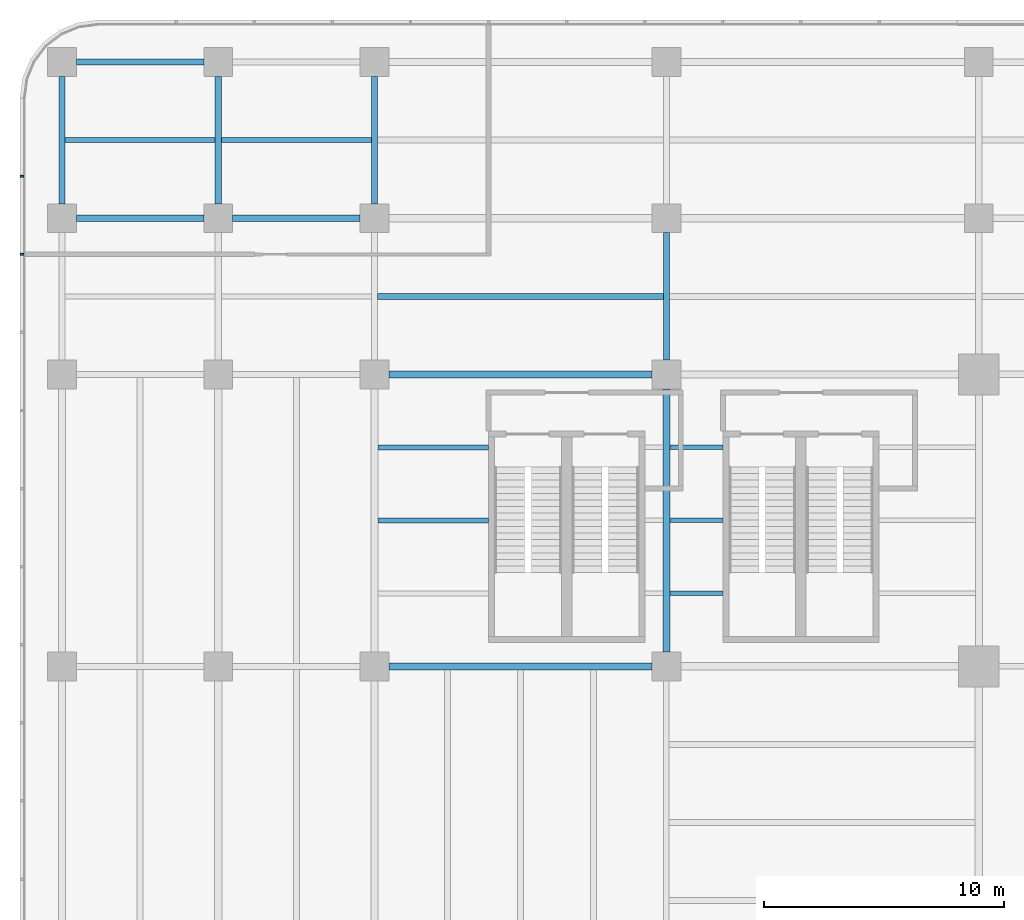
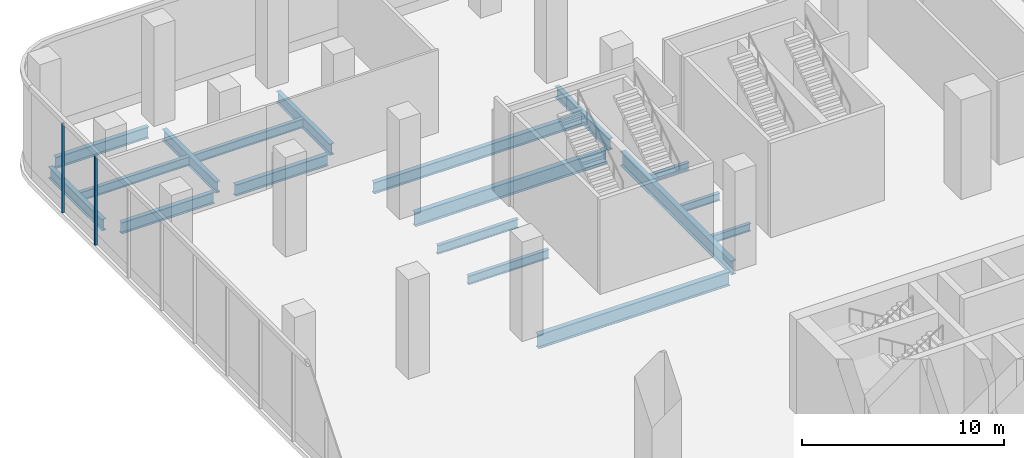
# One storey, part 20 of 41: 18 beams, 2 members, 1 element without a shape of its own.
"""IFC4 building model written with IfcOpenShell, lengths in metres."""

from ifc_helpers import new_model, si_unit, direction, frame, origin, origin_2d, place, context, subcontext, project, spatial, rectangle, i_section, extrude, source, transform, mapped, material, layer, layer_set, material_profile, profile_set, type_object, element, aggregate, save


model = new_model("IFC4")

# Units and contexts
model_context = context("Model", 3, precision=1e-05, world=origin(), true_north=direction((0.0, 1.0)))
body_context = subcontext(model_context, "Body", "Model", "MODEL_VIEW")
ifc_project = project(units=[si_unit("LENGTHUNIT", "METRE"), si_unit("AREAUNIT", "SQUARE_METRE"), si_unit("VOLUMEUNIT", "CUBIC_METRE"), si_unit("PLANEANGLEUNIT", "RADIAN"), si_unit("MASSUNIT", "GRAM", prefix="KILO")], contexts=[model_context])

# Site, building, storey
site_placement = place(None, origin())
site = spatial("IfcSite", under=ifc_project, at=site_placement, CompositionType="ELEMENT")
building_placement = place(site_placement, origin())
building = spatial("IfcBuilding", under=site, at=building_placement, Name="Trellis Farm Tower", CompositionType="ELEMENT")
storey_placement = place(building_placement, frame((0.0, 0.0, 8.0)))
storey = spatial("IfcBuildingStorey", under=building, at=storey_placement, Name="L01", CompositionType="ELEMENT", Elevation=8.0)

# Beams
ifc_material_1 = material(Name="Steel S355", Category="steel")
ifc_material_profile_1 = material_profile(ifc_material_1, i_section(OverallWidth=0.253662109375, OverallDepth=0.68359375, WebThickness=0.012451171875, FlangeThickness=0.021728515625, FilletRadius=0.01513671875, at=origin_2d()), Name="UB 686x254x140")
ifc_profile_set_1 = profile_set([ifc_material_profile_1], Name="Steel S355")
beam_type_1 = type_object("IfcBeamType", Name="UB 686x254x140", PredefinedType="BEAM", material=ifc_profile_set_1)
shared_shape_1 = source(origin(), body_context, "Body", "SweptSolid", [
    extrude(i_section(OverallWidth=0.253662109375, OverallDepth=0.68359375, WebThickness=0.012451171875, FlangeThickness=0.021728515625, FilletRadius=0.01513671875, at=origin_2d()), origin(), (0.0, 0.0, 1.0), 5.2998046875),
])
for number, where, z_axis, x_axis, name in (
    (1, (-43.14990234375, 37.25, -0.641845703125), (1.0, 0.0, 0.0), (0.0, 1.0, 0.0), "Girder"),
    (2, (-36.64990234375, 37.25, -0.641845703125), (1.0, 0.0, 0.0), (0.0, 1.0, 0.0), "Girder"),
    (3, (-43.14990234375, 43.75, -0.641845703125), (1.0, 0.0, 0.0), (0.0, 1.0, 0.0), "Girder"),
    (4, (-43.75, 37.85009765625, -0.641845703125), (0.0, 1.0, 0.0), (-1.0, 0.0, 0.0), "Girder"),
    (5, (-37.25, 37.85009765625, -0.641845703125), (0.0, 1.0, 0.0), (-1.0, 0.0, 0.0), "Girder"),
    (6, (-30.75, 37.85009765625, -0.641845703125), (0.0, 1.0, 0.0), (-1.0, 0.0, 0.0), "Girder"),
    (7, (-18.60009765625, 31.35009765625, -0.641845703125), (0.0, 1.0, 0.0), (-1.0, 0.0, 0.0), "Girder"),
):
    element("IfcBeam", number, at=place(storey_placement, frame(where, z_axis=z_axis, x_axis=x_axis)), inside=storey, type_object=beam_type_1, Name=name, PredefinedType="BEAM", context=body_context, shape_type="MappedRepresentation", body=[
        mapped(shared_shape_1, transform((0.0, 0.0, 0.0))),
    ])
ifc_material_profile_2 = material_profile(ifc_material_1, i_section(OverallWidth=0.29248046875, OverallDepth=0.8408203125, WebThickness=0.0146484375, FlangeThickness=0.021728515625, FilletRadius=0.017822265625, at=origin_2d()), Name="UB 838x292x194")
ifc_profile_set_2 = profile_set([ifc_material_profile_2], Name="Steel S355")
beam_type_2 = type_object("IfcBeamType", Name="UB 838x292x194", PredefinedType="BEAM", material=ifc_profile_set_2)
shared_shape_2 = source(origin(), body_context, "Body", "SweptSolid", [
    extrude(i_section(OverallWidth=0.29248046875, OverallDepth=0.8408203125, WebThickness=0.0146484375, FlangeThickness=0.021728515625, FilletRadius=0.017822265625, at=origin_2d()), origin(), (0.0, 0.0, 1.0), 10.949951171875),
])
for number, where, z_axis, x_axis, name in (
    (8, (-30.14990234375, 18.60009765625, -0.72021484375), (1.0, 0.0, 0.0), (0.0, 1.0, 0.0), "Girder"),
    (9, (-30.14990234375, 30.75, -0.72021484375), (1.0, 0.0, 0.0), (0.0, 1.0, 0.0), "Girder"),
    (10, (-18.60009765625, 19.199951171875, -0.72021484375), (0.0, 1.0, 0.0), (-1.0, 0.0, 0.0), "Girder"),
):
    element("IfcBeam", number, at=place(storey_placement, frame(where, z_axis=z_axis, x_axis=x_axis)), inside=storey, type_object=beam_type_2, Name=name, PredefinedType="BEAM", context=body_context, shape_type="MappedRepresentation", body=[
        mapped(shared_shape_2, transform((0.0, 0.0, 0.0))),
    ])
ifc_material_profile_3 = material_profile(ifc_material_1, i_section(OverallWidth=0.253662109375, OverallDepth=0.68359375, WebThickness=0.012451171875, FlangeThickness=0.021728515625, FilletRadius=0.01513671875, at=origin_2d()), Name="UB 686x254x140")
ifc_profile_set_3 = profile_set([ifc_material_profile_3], Name="Steel S355")
beam_type_3 = type_object("IfcBeamType", Name="UB 686x254x140 joist", PredefinedType="JOIST", material=ifc_profile_set_3)
shared_shape_3 = source(origin(), body_context, "Body", "SweptSolid", [
    extrude(i_section(OverallWidth=0.253662109375, OverallDepth=0.68359375, WebThickness=0.012451171875, FlangeThickness=0.021728515625, FilletRadius=0.01513671875, at=origin_2d()), origin(), (0.0, 0.0, 1.0), 11.896240234375),
])
beam_1_placement = place(storey_placement, frame((-30.623046875, 34.0, -0.641845703125), z_axis=(1.0, 0.0, 0.0), x_axis=(0.0, 1.0, 0.0)))
element("IfcBeam", 11, at=beam_1_placement, inside=storey, type_object=beam_type_3, Name="Floor beam", PredefinedType="JOIST", context=body_context, shape_type="MappedRepresentation", body=[
    mapped(shared_shape_3, transform((0.0, 0.0, 0.0))),
])
ifc_material_profile_4 = material_profile(ifc_material_1, i_section(OverallWidth=0.209228515625, OverallDepth=0.533203125, WebThickness=0.010009765625, FlangeThickness=0.015625, FilletRadius=0.0126953125, at=origin_2d()), Name="UB 533x210x92")
ifc_profile_set_4 = profile_set([ifc_material_profile_4], Name="Steel S355")
beam_type_4 = type_object("IfcBeamType", Name="UB 533x210x92 joist", PredefinedType="JOIST", material=ifc_profile_set_4)
shared_shape_4 = source(origin(), body_context, "Body", "SweptSolid", [
    extrude(i_section(OverallWidth=0.209228515625, OverallDepth=0.533203125, WebThickness=0.010009765625, FlangeThickness=0.015625, FilletRadius=0.0126953125, at=origin_2d()), origin(), (0.0, 0.0, 1.0), 6.246337890625),
])
beam_2_placement = place(storey_placement, frame((-37.123291015625, 40.5, -0.56640625), z_axis=(1.0, 0.0, 0.0), x_axis=(0.0, 1.0, 0.0)))
element("IfcBeam", 12, at=beam_2_placement, inside=storey, type_object=beam_type_4, Name="Floor beam", PredefinedType="JOIST", context=body_context, shape_type="MappedRepresentation", body=[
    mapped(shared_shape_4, transform((0.0, 0.0, 0.0))),
])
shared_shape_5 = source(origin(), body_context, "Body", "SweptSolid", [
    extrude(i_section(OverallWidth=0.209228515625, OverallDepth=0.533203125, WebThickness=0.010009765625, FlangeThickness=0.015625, FilletRadius=0.0126953125, at=origin_2d()), origin(), (0.0, 0.0, 1.0), 6.24658203125),
])
beam_3_placement = place(storey_placement, frame((-43.623291015625, 40.5, -0.56640625), z_axis=(1.0, 0.0, 0.0), x_axis=(0.0, 1.0, 0.0)))
element("IfcBeam", 13, at=beam_3_placement, inside=storey, type_object=beam_type_4, Name="Floor beam", PredefinedType="JOIST", context=body_context, shape_type="MappedRepresentation", body=[
    mapped(shared_shape_5, transform((0.0, 0.0, 0.0))),
])
ifc_material_profile_5 = material_profile(ifc_material_1, i_section(OverallWidth=0.1904296875, OverallDepth=0.45703125, WebThickness=0.009033203125, FlangeThickness=0.014404296875, FilletRadius=0.01025390625, at=origin_2d()), Name="UB 457x191x74")
ifc_profile_set_5 = profile_set([ifc_material_profile_5], Name="Steel S355")
beam_type_5 = type_object("IfcBeamType", Name="UB 457x191x74 joist", PredefinedType="JOIST", material=ifc_profile_set_5)
shared_shape_6 = source(origin(), body_context, "Body", "SweptSolid", [
    extrude(i_section(OverallWidth=0.1904296875, OverallDepth=0.45703125, WebThickness=0.009033203125, FlangeThickness=0.014404296875, FilletRadius=0.01025390625, at=origin_2d()), origin(), (0.0, 0.0, 1.0), 2.203857421875),
])
for number, where, z_axis, x_axis, name in (
    (14, (-18.453857421875, 21.637451171875, -0.528564453125), (1.0, 0.0, 0.0), (0.0, 1.0, 0.0), "Floor beam"),
    (15, (-18.453857421875, 24.675048828125, -0.528564453125), (1.0, 0.0, 0.0), (0.0, 1.0, 0.0), "Floor beam"),
    (16, (-18.453857421875, 27.71240234375, -0.528564453125), (1.0, 0.0, 0.0), (0.0, 1.0, 0.0), "Floor beam"),
):
    element("IfcBeam", number, at=place(storey_placement, frame(where, z_axis=z_axis, x_axis=x_axis)), inside=storey, type_object=beam_type_5, Name=name, PredefinedType="JOIST", context=body_context, shape_type="MappedRepresentation", body=[
        mapped(shared_shape_6, transform((0.0, 0.0, 0.0))),
    ])
shared_shape_7 = source(origin(), body_context, "Body", "SweptSolid", [
    extrude(i_section(OverallWidth=0.209228515625, OverallDepth=0.533203125, WebThickness=0.010009765625, FlangeThickness=0.015625, FilletRadius=0.0126953125, at=origin_2d()), origin(), (0.0, 0.0, 1.0), 4.603759765625),
])
for number, where, z_axis, x_axis, name in (
    (17, (-30.603759765625, 24.675048828125, -0.56640625), (1.0, 0.0, 0.0), (0.0, 1.0, 0.0), "Floor beam"),
    (18, (-30.603759765625, 27.71240234375, -0.56640625), (1.0, 0.0, 0.0), (0.0, 1.0, 0.0), "Floor beam"),
):
    element("IfcBeam", number, at=place(storey_placement, frame(where, z_axis=z_axis, x_axis=x_axis)), inside=storey, type_object=beam_type_4, Name=name, PredefinedType="JOIST", context=body_context, shape_type="MappedRepresentation", body=[
        mapped(shared_shape_7, transform((0.0, 0.0, 0.0))),
    ])

# Curtain wall, members
ifc_material_2 = material(Name="Aluminium and glass curtain wall", Category="aluminium")
ifc_layer = layer(ifc_material_2, 0.201904296875)
ifc_layer_set = layer_set([ifc_layer], Name="SHOPFRONT CURTAIN WALL CW2")
curtain_wall_type = type_object("IfcCurtainWallType", Name="SHOPFRONT CURTAIN WALL CW2", PredefinedType="NOTDEFINED", material=ifc_layer_set)
curtain_wall_placement = place(storey_placement, origin())
curtain_wall = element("IfcCurtainWall", 19, at=curtain_wall_placement, inside=storey, type_object=curtain_wall_type, Name="CW2 005", PredefinedType="NOTDEFINED")
ifc_material_3 = material(Name="Aluminium extrusion 6063-T6", Category="aluminium")
ifc_material_profile_6 = material_profile(ifc_material_3, rectangle(XDim=0.080078125, YDim=0.14990234375, at=origin_2d()), Name="MULLION 80x150")
ifc_profile_set_6 = profile_set([ifc_material_profile_6], Name="Aluminium extrusion 6063-T6")
member_type = type_object("IfcMemberType", Name="CW2 MULLION 80x150", PredefinedType="MULLION", material=ifc_profile_set_6)
shared_shape_8 = source(origin(), body_context, "Body", "SweptSolid", [
    extrude(rectangle(XDim=0.080078125, YDim=0.14990234375, at=origin_2d()), origin(), (0.0, 0.0, 1.0), 5.39990234375),
])
member_1_placement = place(storey_placement, frame((-45.425048828125, 39.0, 0.0), z_axis=(0.0, 0.0, 1.0), x_axis=(0.0, -1.0, 0.0)))
member_1 = element("IfcMember", 20, at=member_1_placement, type_object=member_type, Name="MU2 005-01", PredefinedType="MULLION", context=body_context, shape_type="MappedRepresentation", body=[
    mapped(shared_shape_8, transform((0.0, 0.0, 0.0))),
])
member_2_placement = place(storey_placement, frame((-45.425048828125, 35.75, 0.0), z_axis=(0.0, 0.0, 1.0), x_axis=(0.0, -1.0, 0.0)))
member_2 = element("IfcMember", 21, at=member_2_placement, type_object=member_type, Name="MU2 005-02", PredefinedType="MULLION", context=body_context, shape_type="MappedRepresentation", body=[
    mapped(shared_shape_8, transform((0.0, 0.0, 0.0))),
])
aggregate(curtain_wall, [member_1, member_2])

save(model, "model.ifc")
